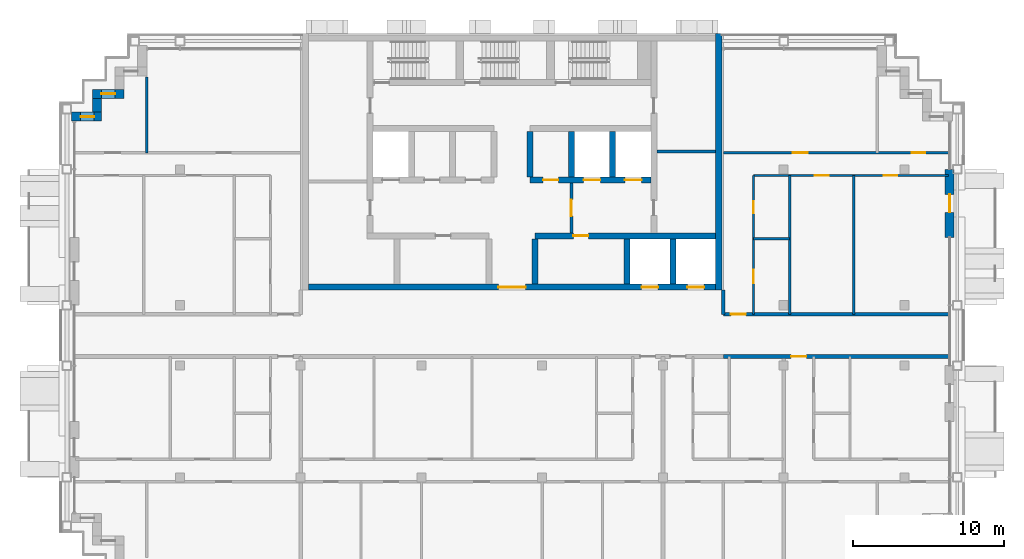
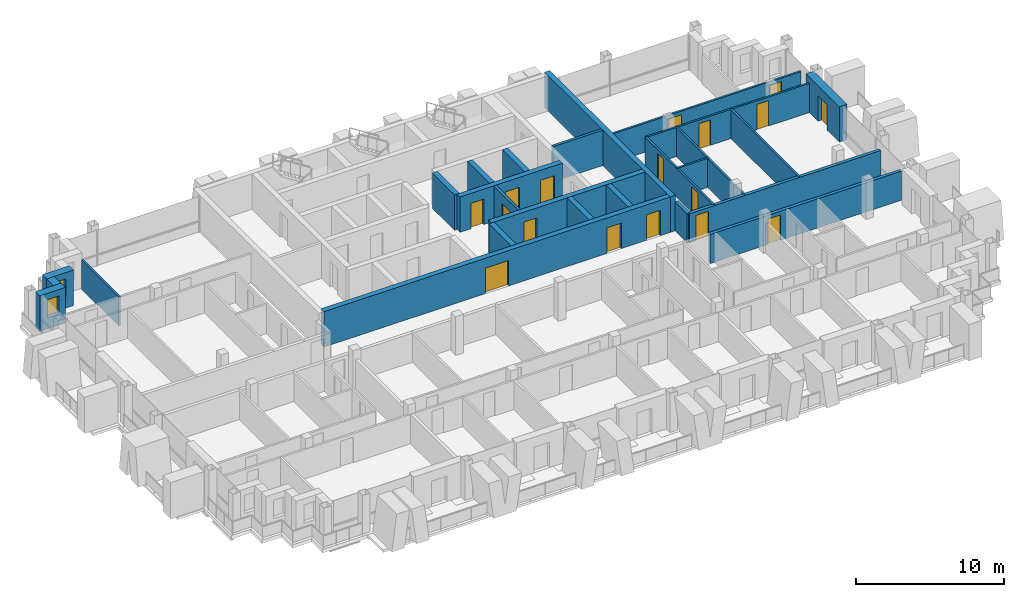
# One storey, part 10 of 15: 26 walls, 17 doors, 2 windows, 19 openings.
"""IFC4 building model written with IfcOpenShell, lengths in metres."""

from ifc_helpers import new_model, si_unit, direction, frame, frame_2d, origin, place, context, subcontext, project, spatial, rectangle, extrude, material, layer, layer_set, type_object, element, fill, save


model = new_model("IFC4")

# Units and contexts
model_context = context("Model", 3, precision=1e-05, world=origin(), true_north=direction((0.0, 1.0)))
body_context = subcontext(model_context, "Body", "Model", "MODEL_VIEW")
ifc_project = project(units=[si_unit("LENGTHUNIT", "METRE"), si_unit("AREAUNIT", "SQUARE_METRE"), si_unit("VOLUMEUNIT", "CUBIC_METRE"), si_unit("PLANEANGLEUNIT", "RADIAN"), si_unit("MASSUNIT", "GRAM", prefix="KILO")], contexts=[model_context])

# Site, building, storey
site_placement = place(None, origin())
site = spatial("IfcSite", under=ifc_project, at=site_placement, CompositionType="ELEMENT")
building_placement = place(site_placement, origin())
building = spatial("IfcBuilding", under=site, at=building_placement, Name="Vidyagriha Tower", CompositionType="ELEMENT")
storey_placement = place(building_placement, frame((0.0, 0.0, 210.800048828125)))
storey = spatial("IfcBuildingStorey", under=building, at=storey_placement, Name="L54", CompositionType="ELEMENT", Elevation=210.800048828125)

# Wall, opening, window
ifc_material_1 = material(Name="Precast concrete C40/50 with brick facing", Category="concrete")
ifc_layer_1 = layer(ifc_material_1, 0.60009765625)
ifc_layer_set_1 = layer_set([ifc_layer_1], Name="Precast concrete C40/50 with brick facing")
wall_type_1 = type_object("IfcWallType", Name="Brick-faced precast wall 600", PredefinedType="STANDARD", material=ifc_layer_set_1)
wall_1_placement = place(storey_placement, frame((-25.699951171875, 16.0, 0.0), z_axis=(0.0, 0.0, 1.0), x_axis=(-1.0, 0.0, 0.0)))
wall_1 = element("IfcWall", 1, at=wall_1_placement, inside=storey, type_object=wall_type_1, Name="Stepped corner wall L54 R13", PredefinedType="STANDARD", context=body_context, shape_type="SweptSolid", body=[
    extrude(rectangle(XDim=2.10009765625, YDim=0.60009765625, at=frame_2d((1.050048828125, 0.0))), origin(), (0.0, 0.0, 1.0), 2.919921875),
])
opening_1_placement = place(wall_1_placement, frame((0.60009765625, 0.0, 0.89990234375)))
opening_1 = element("IfcOpeningElement", 2, at=opening_1_placement, cuts=wall_1, Name="Opening WN1", PredefinedType="OPENING", context=body_context, shape_type="SweptSolid", body=[
    extrude(rectangle(XDim=0.89990234375, YDim=1.5, at=frame_2d((0.449951171875, 0.75))), frame((0.0, 0.31005859375, 0.0), z_axis=(0.0, -1.0, 0.0), x_axis=(1.0, 0.0, 0.0)), (0.0, 0.0, 1.0), 0.6201171875),
])
ifc_material_2 = material(Name="Aluminium and glass window", Category="aluminium")
window_type = type_object("IfcWindowType", Name="Reveal window 900x1500", PartitioningType="NOTDEFINED", PredefinedType="WINDOW", material=ifc_material_2)
window_1_placement = place(opening_1_placement, origin())
window_1 = element("IfcWindow", 3, at=window_1_placement, inside=storey, type_object=window_type, Name="Reveal window L54 R13", OverallHeight=1.5, OverallWidth=0.89990234375, PartitioningType="SINGLE_PANEL", PredefinedType="WINDOW", context=body_context, shape_type="SweptSolid", body=[
    extrude(rectangle(XDim=0.89990234375, YDim=1.5, at=frame_2d((0.449951171875, 0.75))), frame((0.0, 0.030029296875, 0.0), z_axis=(0.0, -1.0, 0.0), x_axis=(1.0, 0.0, 0.0)), (0.0, 0.0, 1.0), 0.06005859375),
])
fill(opening_1, window_1)

# Wall
wall_2_placement = place(storey_placement, frame((-27.5, 15.699951171875, 0.0), z_axis=(0.0, 0.0, 1.0), x_axis=(0.0, -1.0, 0.0)))
element("IfcWall", 4, at=wall_2_placement, inside=storey, type_object=wall_type_1, Name="Stepped corner wall L54 R14", PredefinedType="STANDARD", context=body_context, shape_type="SweptSolid", body=[
    extrude(rectangle(XDim=0.89990234375, YDim=0.60009765625, at=frame_2d((0.449951171875, 0.0))), origin(), (0.0, 0.0, 1.0), 2.919921875),
])

# Wall, opening, window
wall_3_placement = place(storey_placement, frame((-27.199951171875, 14.5, 0.0), z_axis=(0.0, 0.0, 1.0), x_axis=(-1.0, 0.0, 0.0)))
wall_3 = element("IfcWall", 5, at=wall_3_placement, inside=storey, type_object=wall_type_1, Name="Stepped corner wall L54 R15", PredefinedType="STANDARD", context=body_context, shape_type="SweptSolid", body=[
    extrude(rectangle(XDim=2.0, YDim=0.60009765625, at=frame_2d((1.0, 0.0))), origin(), (0.0, 0.0, 1.0), 2.919921875),
])
opening_2_placement = place(wall_3_placement, frame((0.489990234375, 0.0, 0.89990234375)))
opening_2 = element("IfcOpeningElement", 6, at=opening_2_placement, cuts=wall_3, Name="Opening WN1", PredefinedType="OPENING", context=body_context, shape_type="SweptSolid", body=[
    extrude(rectangle(XDim=0.89990234375, YDim=1.5, at=frame_2d((0.449951171875, 0.75))), frame((0.0, 0.31005859375, 0.0), z_axis=(0.0, -1.0, 0.0), x_axis=(1.0, 0.0, 0.0)), (0.0, 0.0, 1.0), 0.6201171875),
])
window_2_placement = place(opening_2_placement, origin())
window_2 = element("IfcWindow", 7, at=window_2_placement, inside=storey, type_object=window_type, Name="Reveal window L54 R15", OverallHeight=1.5, OverallWidth=0.89990234375, PartitioningType="SINGLE_PANEL", PredefinedType="WINDOW", context=body_context, shape_type="SweptSolid", body=[
    extrude(rectangle(XDim=0.89990234375, YDim=1.5, at=frame_2d((0.449951171875, 0.75))), frame((0.0, 0.030029296875, 0.0), z_axis=(0.0, -1.0, 0.0), x_axis=(1.0, 0.0, 0.0)), (0.0, 0.0, 1.0), 0.06005859375),
])
fill(opening_2, window_2)

# Wall, opening, door
wall_4_placement = place(storey_placement, frame((29.0, 6.5, 0.0), z_axis=(0.0, 0.0, 1.0), x_axis=(0.0, 1.0, 0.0)))
wall_4 = element("IfcWall", 8, at=wall_4_placement, inside=storey, type_object=wall_type_1, Name="Brick door bay wall L54 R30.6", PredefinedType="STANDARD", context=body_context, shape_type="SweptSolid", body=[
    extrude(rectangle(XDim=4.5, YDim=0.60009765625, at=frame_2d((2.25, 0.0))), origin(), (0.0, 0.0, 1.0), 2.919921875),
])
opening_3_placement = place(wall_4_placement, frame((1.64990234375, 0.0, 0.0)))
opening_3 = element("IfcOpeningElement", 9, at=opening_3_placement, cuts=wall_4, Name="Opening D54-68", PredefinedType="OPENING", context=body_context, shape_type="SweptSolid", body=[
    extrude(rectangle(XDim=1.199951171875, YDim=2.10009765625, at=frame_2d((0.60009765625, 1.050048828125))), frame((0.0, 0.31005859375, 0.0), z_axis=(0.0, -1.0, 0.0), x_axis=(1.0, 0.0, 0.0)), (0.0, 0.0, 1.0), 0.6201171875),
])
ifc_material_3 = material(Name="Aluminium framed glazed sliding door", Category="aluminium")
door_type_1 = type_object("IfcDoorType", Name="Balcony sliding door 1200x2100", OperationType="NOTDEFINED", PredefinedType="DOOR", material=ifc_material_3)
door_1_placement = place(opening_3_placement, origin())
door_1 = element("IfcDoor", 10, at=door_1_placement, inside=storey, type_object=door_type_1, Name="Door D54-68", OperationType="SLIDING_TO_LEFT", OverallHeight=2.10009765625, OverallWidth=1.199951171875, PredefinedType="DOOR", context=body_context, shape_type="SweptSolid", body=[
    extrude(rectangle(XDim=1.199951171875, YDim=2.10009765625, at=frame_2d((0.60009765625, 1.050048828125))), frame((0.0, 0.02490234375, 0.0), z_axis=(0.0, -1.0, 0.0), x_axis=(1.0, 0.0, 0.0)), (0.0, 0.0, 1.0), 0.050048828125),
])
fill(opening_3, door_1)

# Wall
ifc_material_4 = material(Name="Concrete C60/75", Category="concrete")
ifc_layer_2 = layer(ifc_material_4, 0.39990234375)
ifc_layer_set_2 = layer_set([ifc_layer_2], Name="Concrete C60/75")
wall_type_2 = type_object("IfcWallType", Name="Core shear wall 400 mm", PredefinedType="SHEAR", material=ifc_layer_set_2)
wall_5_placement = place(storey_placement, frame((13.699951171875, 3.0, 0.0), z_axis=(0.0, 0.0, 1.0), x_axis=(0.0, 1.0, 0.0)))
element("IfcWall", 11, at=wall_5_placement, inside=storey, type_object=wall_type_2, Name="Core east wall", PredefinedType="SHEAR", context=body_context, shape_type="SweptSolid", body=[
    extrude(rectangle(XDim=17.0, YDim=0.39990234375, at=frame_2d((8.5, 0.0))), origin(), (0.0, 0.0, 1.0), 2.919921875),
])

# Wall, openings, doors
wall_6_placement = place(storey_placement, frame((-13.5, 3.199951171875, 0.0)))
wall_6 = element("IfcWall", 12, at=wall_6_placement, inside=storey, type_object=wall_type_2, Name="Core front wall", PredefinedType="SHEAR", context=body_context, shape_type="SweptSolid", body=[
    extrude(rectangle(XDim=27.0, YDim=0.39990234375, at=frame_2d((13.5, 0.0))), origin(), (0.0, 0.0, 1.0), 2.919921875),
])
opening_4_placement = place(wall_6_placement, frame((22.083251953125, 0.0, 0.0)))
opening_4 = element("IfcOpeningElement", 13, at=opening_4_placement, cuts=wall_6, Name="Opening LD54-01", PredefinedType="OPENING", context=body_context, shape_type="SweptSolid", body=[
    extrude(rectangle(XDim=1.10009765625, YDim=2.10009765625, at=frame_2d((0.550048828125, 1.050048828125))), frame((0.0, 0.2099609375, 0.0), z_axis=(0.0, -1.0, 0.0), x_axis=(1.0, 0.0, 0.0)), (0.0, 0.0, 1.0), 0.419921875),
])
opening_5_placement = place(wall_6_placement, frame((25.127685546875, 0.0, 0.0)))
opening_5 = element("IfcOpeningElement", 14, at=opening_5_placement, cuts=wall_6, Name="Opening LD54-02", PredefinedType="OPENING", context=body_context, shape_type="SweptSolid", body=[
    extrude(rectangle(XDim=1.10009765625, YDim=2.10009765625, at=frame_2d((0.550048828125, 1.050048828125))), frame((0.0, 0.2099609375, 0.0), z_axis=(0.0, -1.0, 0.0), x_axis=(1.0, 0.0, 0.0)), (0.0, 0.0, 1.0), 0.419921875),
])
opening_6_placement = place(wall_6_placement, frame((12.60009765625, 0.0, 0.0)))
opening_6 = element("IfcOpeningElement", 15, at=opening_6_placement, cuts=wall_6, Name="Opening D54-01", PredefinedType="OPENING", context=body_context, shape_type="SweptSolid", body=[
    extrude(rectangle(XDim=1.800048828125, YDim=2.10009765625, at=frame_2d((0.89990234375, 1.050048828125))), frame((0.0, 0.2099609375, 0.0), z_axis=(0.0, -1.0, 0.0), x_axis=(1.0, 0.0, 0.0)), (0.0, 0.0, 1.0), 0.419921875),
])
ifc_material_5 = material(Name="Hollow metal door leaf")
door_type_2 = type_object("IfcDoorType", Name="Core lobby double door 1800 x 2100 mm EI 60", OperationType="NOTDEFINED", PredefinedType="DOOR", material=ifc_material_5)
door_2_placement = place(opening_6_placement, frame((1.800048828125, 0.0, 0.0), z_axis=(0.0, 0.0, 1.0), x_axis=(-1.0, 0.0, 0.0)))
door_2 = element("IfcDoor", 16, at=door_2_placement, inside=storey, type_object=door_type_2, Name="Core entrance door L54", OperationType="DOUBLE_DOOR_SINGLE_SWING", OverallHeight=2.10009765625, OverallWidth=1.800048828125, PredefinedType="DOOR", context=body_context, shape_type="SweptSolid", body=[
    extrude(rectangle(XDim=1.800048828125, YDim=2.10009765625, at=frame_2d((0.89990234375, 1.050048828125))), frame((0.0, 0.02490234375, 0.0), z_axis=(0.0, -1.0, 0.0), x_axis=(1.0, 0.0, 0.0)), (0.0, 0.0, 1.0), 0.050048828125),
])
fill(opening_6, door_2)
ifc_material_6 = material(Name="Stainless steel sliding door panel", Category="steel")
door_type_3 = type_object("IfcDoorType", Name="Lift landing door 1100 x 2100 mm EI 90", OperationType="NOTDEFINED", PredefinedType="DOOR", material=ifc_material_6)
door_3_placement = place(opening_4_placement, origin())
door_3 = element("IfcDoor", 17, at=door_3_placement, inside=storey, type_object=door_type_3, Name="Landing door MR1 L54", OperationType="SLIDING_TO_LEFT", OverallHeight=2.10009765625, OverallWidth=1.10009765625, PredefinedType="DOOR", context=body_context, shape_type="SweptSolid", body=[
    extrude(rectangle(XDim=1.10009765625, YDim=2.10009765625, at=frame_2d((0.550048828125, 1.050048828125))), frame((0.0, 0.02490234375, 0.0), z_axis=(0.0, -1.0, 0.0), x_axis=(1.0, 0.0, 0.0)), (0.0, 0.0, 1.0), 0.050048828125),
])
fill(opening_4, door_3)
door_4_placement = place(opening_5_placement, origin())
door_4 = element("IfcDoor", 18, at=door_4_placement, inside=storey, type_object=door_type_3, Name="Landing door MR2 L54", OperationType="SLIDING_TO_LEFT", OverallHeight=2.10009765625, OverallWidth=1.10009765625, PredefinedType="DOOR", context=body_context, shape_type="SweptSolid", body=[
    extrude(rectangle(XDim=1.10009765625, YDim=2.10009765625, at=frame_2d((0.550048828125, 1.050048828125))), frame((0.0, 0.02490234375, 0.0), z_axis=(0.0, -1.0, 0.0), x_axis=(1.0, 0.0, 0.0)), (0.0, 0.0, 1.0), 0.050048828125),
])
fill(opening_5, door_4)

# Wall, opening, door
wall_7_placement = place(storey_placement, frame((1.522216796875, 6.60009765625, 0.0)))
wall_7 = element("IfcWall", 19, at=wall_7_placement, inside=storey, type_object=wall_type_2, Name="Core lobby south wall east", PredefinedType="SHEAR", context=body_context, shape_type="SweptSolid", body=[
    extrude(rectangle(XDim=11.977783203125, YDim=0.39990234375, at=frame_2d((5.98876953125, 0.0))), origin(), (0.0, 0.0, 1.0), 2.919921875),
])
opening_7_placement = place(wall_7_placement, frame((2.54443359375, 0.0, 0.0)))
opening_7 = element("IfcOpeningElement", 20, at=opening_7_placement, cuts=wall_7, Name="Opening D54-03", PredefinedType="OPENING", context=body_context, shape_type="SweptSolid", body=[
    extrude(rectangle(XDim=1.0, YDim=2.10009765625, at=frame_2d((0.5, 1.050048828125))), frame((0.0, 0.2099609375, 0.0), z_axis=(0.0, -1.0, 0.0), x_axis=(1.0, 0.0, 0.0)), (0.0, 0.0, 1.0), 0.419921875),
])
ifc_material_7 = material(Name="Hollow metal door leaf")
door_type_4 = type_object("IfcDoorType", Name="Core room door 1000 x 2100 mm EI 60", OperationType="NOTDEFINED", PredefinedType="DOOR", material=ifc_material_7)
door_5_placement = place(opening_7_placement, origin())
door_5 = element("IfcDoor", 21, at=door_5_placement, inside=storey, type_object=door_type_4, Name="Door Refuse Room 54.02", OperationType="SINGLE_SWING_RIGHT", OverallHeight=2.10009765625, OverallWidth=1.0, PredefinedType="DOOR", context=body_context, shape_type="SweptSolid", body=[
    extrude(rectangle(XDim=1.0, YDim=2.10009765625, at=frame_2d((0.5, 1.050048828125))), frame((0.0, 0.02490234375, 0.0), z_axis=(0.0, -1.0, 0.0), x_axis=(1.0, 0.0, 0.0)), (0.0, 0.0, 1.0), 0.050048828125),
])
fill(opening_7, door_5)

# Walls
for number, where, z_axis, x_axis, name in (
    (22, (1.522216796875, 3.39990234375, 0.0), (0.0, 0.0, 1.0), (0.0, 1.0, 0.0), "Core bay wall S5"),
    (23, (7.611083984375, 3.39990234375, 0.0), (0.0, 0.0, 1.0), (0.0, 1.0, 0.0), "Core bay wall S7"),
    (24, (10.655517578125, 3.39990234375, 0.0), (0.0, 0.0, 1.0), (0.0, 1.0, 0.0), "Core bay wall S8"),
):
    element("IfcWall", number, at=place(storey_placement, frame(where, z_axis=z_axis, x_axis=x_axis)), inside=storey, type_object=wall_type_2, Name=name, PredefinedType="SHEAR", context=body_context, shape_type="SweptSolid", body=[
        extrude(rectangle(XDim=3.0, YDim=0.39990234375, at=frame_2d((1.5, 0.0))), origin(), (0.0, 0.0, 1.0), 2.919921875),
    ])

# Wall, openings, doors
wall_8_placement = place(storey_placement, frame((1.199951171875, 10.300048828125, 0.0)))
wall_8 = element("IfcWall", 25, at=wall_8_placement, inside=storey, type_object=wall_type_2, Name="Core row N front wall", PredefinedType="SHEAR", context=body_context, shape_type="SweptSolid", body=[
    extrude(rectangle(XDim=8.0, YDim=0.39990234375, at=frame_2d((4.0, 0.0))), origin(), (0.0, 0.0, 1.0), 2.919921875),
])
opening_8_placement = place(wall_8_placement, frame((3.550048828125, 0.0, 0.0)))
opening_8 = element("IfcOpeningElement", 26, at=opening_8_placement, cuts=wall_8, Name="Opening LD54-04", PredefinedType="OPENING", context=body_context, shape_type="SweptSolid", body=[
    extrude(rectangle(XDim=1.10009765625, YDim=2.10009765625, at=frame_2d((0.550048828125, 1.050048828125))), frame((0.0, 0.2099609375, 0.0), z_axis=(0.0, -1.0, 0.0), x_axis=(1.0, 0.0, 0.0)), (0.0, 0.0, 1.0), 0.419921875),
])
opening_9_placement = place(wall_8_placement, frame((6.283203125, 0.0, 0.0)))
opening_9 = element("IfcOpeningElement", 27, at=opening_9_placement, cuts=wall_8, Name="Opening LD54-05", PredefinedType="OPENING", context=body_context, shape_type="SweptSolid", body=[
    extrude(rectangle(XDim=1.10009765625, YDim=2.10009765625, at=frame_2d((0.550048828125, 1.050048828125))), frame((0.0, 0.2099609375, 0.0), z_axis=(0.0, -1.0, 0.0), x_axis=(1.0, 0.0, 0.0)), (0.0, 0.0, 1.0), 0.419921875),
])
opening_10_placement = place(wall_8_placement, frame((0.86669921875, 0.0, 0.0)))
opening_10 = element("IfcOpeningElement", 28, at=opening_10_placement, cuts=wall_8, Name="Opening D54-06", PredefinedType="OPENING", context=body_context, shape_type="SweptSolid", body=[
    extrude(rectangle(XDim=1.0, YDim=2.10009765625, at=frame_2d((0.5, 1.050048828125))), frame((0.0, 0.2099609375, 0.0), z_axis=(0.0, -1.0, 0.0), x_axis=(1.0, 0.0, 0.0)), (0.0, 0.0, 1.0), 0.419921875),
])
door_6_placement = place(opening_10_placement, frame((1.0, 0.0, 0.0), z_axis=(0.0, 0.0, 1.0), x_axis=(-1.0, 0.0, 0.0)))
door_6 = element("IfcDoor", 29, at=door_6_placement, inside=storey, type_object=door_type_4, Name="Door Refuse Room 54.16", OperationType="SINGLE_SWING_LEFT", OverallHeight=2.10009765625, OverallWidth=1.0, PredefinedType="DOOR", context=body_context, shape_type="SweptSolid", body=[
    extrude(rectangle(XDim=1.0, YDim=2.10009765625, at=frame_2d((0.5, 1.050048828125))), frame((0.0, 0.02490234375, 0.0), z_axis=(0.0, -1.0, 0.0), x_axis=(1.0, 0.0, 0.0)), (0.0, 0.0, 1.0), 0.050048828125),
])
fill(opening_10, door_6)
door_7_placement = place(opening_8_placement, origin())
door_7 = element("IfcDoor", 30, at=door_7_placement, inside=storey, type_object=door_type_3, Name="Landing door FF1 L54", OperationType="SLIDING_TO_LEFT", OverallHeight=2.10009765625, OverallWidth=1.10009765625, PredefinedType="DOOR", context=body_context, shape_type="SweptSolid", body=[
    extrude(rectangle(XDim=1.10009765625, YDim=2.10009765625, at=frame_2d((0.550048828125, 1.050048828125))), frame((0.0, 0.02490234375, 0.0), z_axis=(0.0, -1.0, 0.0), x_axis=(1.0, 0.0, 0.0)), (0.0, 0.0, 1.0), 0.050048828125),
])
fill(opening_8, door_7)
door_8_placement = place(opening_9_placement, origin())
door_8 = element("IfcDoor", 31, at=door_8_placement, inside=storey, type_object=door_type_3, Name="Landing door FF2 L54", OperationType="SLIDING_TO_LEFT", OverallHeight=2.10009765625, OverallWidth=1.10009765625, PredefinedType="DOOR", context=body_context, shape_type="SweptSolid", body=[
    extrude(rectangle(XDim=1.10009765625, YDim=2.10009765625, at=frame_2d((0.550048828125, 1.050048828125))), frame((0.0, 0.02490234375, 0.0), z_axis=(0.0, -1.0, 0.0), x_axis=(1.0, 0.0, 0.0)), (0.0, 0.0, 1.0), 0.050048828125),
])
fill(opening_9, door_8)

# Walls
for number, where, z_axis, x_axis, name in (
    (32, (1.199951171875, 10.5, 0.0), (0.0, 0.0, 1.0), (0.0, 1.0, 0.0), "Core bay wall N4"),
    (33, (3.933349609375, 10.5, 0.0), (0.0, 0.0, 1.0), (0.0, 1.0, 0.0), "Core bay wall N5"),
    (34, (6.666748046875, 10.5, 0.0), (0.0, 0.0, 1.0), (0.0, 1.0, 0.0), "Core bay wall N6"),
):
    element("IfcWall", number, at=place(storey_placement, frame(where, z_axis=z_axis, x_axis=x_axis)), inside=storey, type_object=wall_type_2, Name=name, PredefinedType="SHEAR", context=body_context, shape_type="SweptSolid", body=[
        extrude(rectangle(XDim=3.0, YDim=0.39990234375, at=frame_2d((1.5, 0.0))), origin(), (0.0, 0.0, 1.0), 2.919921875),
    ])

# Wall, opening, door
ifc_material_8 = material(Name="Fired clay brick masonry", Category="masonry")
ifc_layer_3 = layer(ifc_material_8, 0.25)
ifc_layer_set_3 = layer_set([ifc_layer_3], Name="Fired clay brick masonry")
wall_type_3 = type_object("IfcWallType", Name="Fired clay brick corridor wall 250", PredefinedType="PARTITIONING", material=ifc_layer_set_3)
wall_9_placement = place(storey_placement, frame((28.919921875, -1.39990234375, 0.0), z_axis=(0.0, 0.0, 1.0), x_axis=(-1.0, 0.0, 0.0)))
wall_9 = element("IfcWall", 35, at=wall_9_placement, inside=storey, type_object=wall_type_3, Name="Wall all-L54-w065", PredefinedType="PARTITIONING", context=body_context, shape_type="SweptSolid", body=[
    extrude(rectangle(XDim=14.919921875, YDim=0.25, at=frame_2d((7.4599609375, 0.0))), origin(), (0.0, 0.0, 1.0), 2.39990234375),
])
opening_11_placement = place(wall_9_placement, frame((9.419921875, 0.0, 0.0)))
opening_11 = element("IfcOpeningElement", 36, at=opening_11_placement, cuts=wall_9, Name="Opening D54-44", PredefinedType="OPENING", context=body_context, shape_type="SweptSolid", body=[
    extrude(rectangle(XDim=1.0, YDim=2.10009765625, at=frame_2d((0.5, 1.050048828125))), frame((0.0, 0.135009765625, 0.0), z_axis=(0.0, -1.0, 0.0), x_axis=(1.0, 0.0, 0.0)), (0.0, 0.0, 1.0), 0.27001953125),
])
ifc_material_9 = material(Name="Fire-rated timber door leaf EI 60", Category="wood")
door_type_5 = type_object("IfcDoorType", Name="Flat entrance fire door 1000x2100", OperationType="NOTDEFINED", PredefinedType="DOOR", material=ifc_material_9)
door_9_placement = place(opening_11_placement, origin())
door_9 = element("IfcDoor", 37, at=door_9_placement, inside=storey, type_object=door_type_5, Name="Door D54-44", OperationType="SINGLE_SWING_RIGHT", OverallHeight=2.10009765625, OverallWidth=1.0, PredefinedType="DOOR", context=body_context, shape_type="SweptSolid", body=[
    extrude(rectangle(XDim=1.0, YDim=2.10009765625, at=frame_2d((0.5, 1.050048828125))), frame((0.0, 0.02490234375, 0.0), z_axis=(0.0, -1.0, 0.0), x_axis=(1.0, 0.0, 0.0)), (0.0, 0.0, 1.0), 0.050048828125),
])
fill(opening_11, door_9)

wall_10_placement = place(storey_placement, frame((14.0, 1.39990234375, 0.0)))
wall_10 = element("IfcWall", 38, at=wall_10_placement, inside=storey, type_object=wall_type_3, Name="Wall all-L54-w095", PredefinedType="PARTITIONING", context=body_context, shape_type="SweptSolid", body=[
    extrude(rectangle(XDim=14.919921875, YDim=0.25, at=frame_2d((7.4599609375, 0.0))), origin(), (0.0, 0.0, 1.0), 2.39990234375),
])
opening_12_placement = place(wall_10_placement, frame((0.5, 0.0, 0.0)))
opening_12 = element("IfcOpeningElement", 39, at=opening_12_placement, cuts=wall_10, Name="Opening D54-58", PredefinedType="OPENING", context=body_context, shape_type="SweptSolid", body=[
    extrude(rectangle(XDim=1.0, YDim=2.10009765625, at=frame_2d((0.5, 1.050048828125))), frame((0.0, 0.135009765625, 0.0), z_axis=(0.0, -1.0, 0.0), x_axis=(1.0, 0.0, 0.0)), (0.0, 0.0, 1.0), 0.27001953125),
])
door_10_placement = place(opening_12_placement, origin())
door_10 = element("IfcDoor", 40, at=door_10_placement, inside=storey, type_object=door_type_5, Name="Door D54-58", OperationType="SINGLE_SWING_LEFT", OverallHeight=2.10009765625, OverallWidth=1.0, PredefinedType="DOOR", context=body_context, shape_type="SweptSolid", body=[
    extrude(rectangle(XDim=1.0, YDim=2.10009765625, at=frame_2d((0.5, 1.050048828125))), frame((0.0, 0.02490234375, 0.0), z_axis=(0.0, -1.0, 0.0), x_axis=(1.0, 0.0, 0.0)), (0.0, 0.0, 1.0), 0.050048828125),
])
fill(opening_12, door_10)

# Walls
wall_11_placement = place(storey_placement, frame((14.0, 1.39990234375, 0.0), z_axis=(0.0, 0.0, 1.0), x_axis=(0.0, 1.0, 0.0)))
element("IfcWall", 41, at=wall_11_placement, inside=storey, type_object=wall_type_3, Name="Wall all-L54-w098", PredefinedType="PARTITIONING", context=body_context, shape_type="SweptSolid", body=[
    extrude(rectangle(XDim=1.60009765625, YDim=0.25, at=frame_2d((0.800048828125, 0.0))), origin(), (0.0, 0.0, 1.0), 2.39990234375),
])
ifc_material_10 = material(Name="Gypsum board partition")
ifc_layer_4 = layer(ifc_material_10, 0.14990234375)
ifc_layer_set_4 = layer_set([ifc_layer_4], Name="Gypsum board partition")
wall_type_4 = type_object("IfcWallType", Name="Gypsum board partition 150", PredefinedType="PARTITIONING", material=ifc_layer_set_4)
wall_12_placement = place(storey_placement, frame((-24.199951171875, 17.1201171875, 0.0), z_axis=(0.0, 0.0, 1.0), x_axis=(0.0, -1.0, 0.0)))
element("IfcWall", 42, at=wall_12_placement, inside=storey, type_object=wall_type_4, Name="Wall all-L54-w078", PredefinedType="PARTITIONING", context=body_context, shape_type="SweptSolid", body=[
    extrude(rectangle(XDim=5.02001953125, YDim=0.14990234375, at=frame_2d((2.510009765625, 0.0))), origin(), (0.0, 0.0, 1.0), 2.39990234375),
])
wall_13_placement = place(storey_placement, frame((16.0, 6.39990234375, 0.0)))
element("IfcWall", 43, at=wall_13_placement, inside=storey, type_object=wall_type_4, Name="Wall all-L54-w084", PredefinedType="PARTITIONING", context=body_context, shape_type="SweptSolid", body=[
    extrude(rectangle(XDim=2.39990234375, YDim=0.14990234375, at=frame_2d((1.199951171875, 0.0))), origin(), (0.0, 0.0, 1.0), 2.39990234375),
])
for number, where, z_axis, x_axis, name in (
    (44, (18.39990234375, 10.60009765625, 0.0), (0.0, 0.0, 1.0), (0.0, -1.0, 0.0), "Wall all-L54-w085"),
    (45, (22.64990234375, 10.60009765625, 0.0), (0.0, 0.0, 1.0), (0.0, -1.0, 0.0), "Wall all-L54-w086"),
):
    element("IfcWall", number, at=place(storey_placement, frame(where, z_axis=z_axis, x_axis=x_axis)), inside=storey, type_object=wall_type_4, Name=name, PredefinedType="PARTITIONING", context=body_context, shape_type="SweptSolid", body=[
        extrude(rectangle(XDim=9.2001953125, YDim=0.14990234375, at=frame_2d((4.60009765625, 0.0))), origin(), (0.0, 0.0, 1.0), 2.39990234375),
    ])

# Wall, openings, doors
wall_14_placement = place(storey_placement, frame((28.909912109375, 10.60009765625, 0.0), z_axis=(0.0, 0.0, 1.0), x_axis=(-1.0, 0.0, 0.0)))
wall_14 = element("IfcWall", 46, at=wall_14_placement, inside=storey, type_object=wall_type_4, Name="Wall all-L54-w087", PredefinedType="PARTITIONING", context=body_context, shape_type="SweptSolid", body=[
    extrude(rectangle(XDim=12.909912109375, YDim=0.14990234375, at=frame_2d((6.455078125, 0.0))), origin(), (0.0, 0.0, 1.0), 2.39990234375),
])
opening_13_placement = place(wall_14_placement, frame((7.93505859375, 0.0, 0.0)))
opening_13 = element("IfcOpeningElement", 47, at=opening_13_placement, cuts=wall_14, Name="Opening D54-54", PredefinedType="OPENING", context=body_context, shape_type="SweptSolid", body=[
    extrude(rectangle(XDim=0.89990234375, YDim=2.10009765625, at=frame_2d((0.449951171875, 1.050048828125))), frame((0.0, 0.0849609375, 0.0), z_axis=(0.0, -1.0, 0.0), x_axis=(1.0, 0.0, 0.0)), (0.0, 0.0, 1.0), 0.169921875),
])
opening_14_placement = place(wall_14_placement, frame((3.385986328125, 0.0, 0.0)))
opening_14 = element("IfcOpeningElement", 48, at=opening_14_placement, cuts=wall_14, Name="Opening D54-55", PredefinedType="OPENING", context=body_context, shape_type="SweptSolid", body=[
    extrude(rectangle(XDim=0.89990234375, YDim=2.10009765625, at=frame_2d((0.449951171875, 1.050048828125))), frame((0.0, 0.0849609375, 0.0), z_axis=(0.0, -1.0, 0.0), x_axis=(1.0, 0.0, 0.0)), (0.0, 0.0, 1.0), 0.169921875),
])
ifc_material_11 = material(Name="Timber door leaf", Category="wood")
door_type_6 = type_object("IfcDoorType", Name="Room door 900x2100", OperationType="NOTDEFINED", PredefinedType="DOOR", material=ifc_material_11)
door_11_placement = place(opening_13_placement, origin())
door_11 = element("IfcDoor", 49, at=door_11_placement, inside=storey, type_object=door_type_6, Name="Door D54-54", OperationType="SINGLE_SWING_RIGHT", OverallHeight=2.10009765625, OverallWidth=0.89990234375, PredefinedType="DOOR", context=body_context, shape_type="SweptSolid", body=[
    extrude(rectangle(XDim=0.89990234375, YDim=2.10009765625, at=frame_2d((0.449951171875, 1.050048828125))), frame((0.0, 0.02490234375, 0.0), z_axis=(0.0, -1.0, 0.0), x_axis=(1.0, 0.0, 0.0)), (0.0, 0.0, 1.0), 0.050048828125),
])
fill(opening_13, door_11)
door_12_placement = place(opening_14_placement, origin())
door_12 = element("IfcDoor", 50, at=door_12_placement, inside=storey, type_object=door_type_6, Name="Door D54-55", OperationType="SINGLE_SWING_RIGHT", OverallHeight=2.10009765625, OverallWidth=0.89990234375, PredefinedType="DOOR", context=body_context, shape_type="SweptSolid", body=[
    extrude(rectangle(XDim=0.89990234375, YDim=2.10009765625, at=frame_2d((0.449951171875, 1.050048828125))), frame((0.0, 0.02490234375, 0.0), z_axis=(0.0, -1.0, 0.0), x_axis=(1.0, 0.0, 0.0)), (0.0, 0.0, 1.0), 0.050048828125),
])
fill(opening_14, door_12)

wall_15_placement = place(storey_placement, frame((14.0, 12.10009765625, 0.0)))
wall_15 = element("IfcWall", 51, at=wall_15_placement, inside=storey, type_object=wall_type_4, Name="Wall all-L54-w090", PredefinedType="PARTITIONING", context=body_context, shape_type="SweptSolid", body=[
    extrude(rectangle(XDim=14.919921875, YDim=0.14990234375, at=frame_2d((7.4599609375, 0.0))), origin(), (0.0, 0.0, 1.0), 2.39990234375),
])
opening_15_placement = place(wall_15_placement, frame((4.60009765625, 0.0, 0.0)))
opening_15 = element("IfcOpeningElement", 52, at=opening_15_placement, cuts=wall_15, Name="Opening D54-56", PredefinedType="OPENING", context=body_context, shape_type="SweptSolid", body=[
    extrude(rectangle(XDim=1.0, YDim=2.10009765625, at=frame_2d((0.5, 1.050048828125))), frame((0.0, 0.0849609375, 0.0), z_axis=(0.0, -1.0, 0.0), x_axis=(1.0, 0.0, 0.0)), (0.0, 0.0, 1.0), 0.169921875),
])
opening_16_placement = place(wall_15_placement, frame((12.47607421875, 0.0, 0.0)))
opening_16 = element("IfcOpeningElement", 53, at=opening_16_placement, cuts=wall_15, Name="Opening D54-57", PredefinedType="OPENING", context=body_context, shape_type="SweptSolid", body=[
    extrude(rectangle(XDim=0.89990234375, YDim=2.10009765625, at=frame_2d((0.449951171875, 1.050048828125))), frame((0.0, 0.0849609375, 0.0), z_axis=(0.0, -1.0, 0.0), x_axis=(1.0, 0.0, 0.0)), (0.0, 0.0, 1.0), 0.169921875),
])
ifc_material_12 = material(Name="Timber door leaf", Category="wood")
door_type_7 = type_object("IfcDoorType", Name="Room door 1000x2100", OperationType="NOTDEFINED", PredefinedType="DOOR", material=ifc_material_12)
door_13_placement = place(opening_15_placement, origin())
door_13 = element("IfcDoor", 54, at=door_13_placement, inside=storey, type_object=door_type_7, Name="Door D54-56", OperationType="SINGLE_SWING_RIGHT", OverallHeight=2.10009765625, OverallWidth=1.0, PredefinedType="DOOR", context=body_context, shape_type="SweptSolid", body=[
    extrude(rectangle(XDim=1.0, YDim=2.10009765625, at=frame_2d((0.5, 1.050048828125))), frame((0.0, 0.02490234375, 0.0), z_axis=(0.0, -1.0, 0.0), x_axis=(1.0, 0.0, 0.0)), (0.0, 0.0, 1.0), 0.050048828125),
])
fill(opening_15, door_13)
door_14_placement = place(opening_16_placement, origin())
door_14 = element("IfcDoor", 55, at=door_14_placement, inside=storey, type_object=door_type_6, Name="Door D54-57", OperationType="SINGLE_SWING_RIGHT", OverallHeight=2.10009765625, OverallWidth=0.89990234375, PredefinedType="DOOR", context=body_context, shape_type="SweptSolid", body=[
    extrude(rectangle(XDim=0.89990234375, YDim=2.10009765625, at=frame_2d((0.449951171875, 1.050048828125))), frame((0.0, 0.02490234375, 0.0), z_axis=(0.0, -1.0, 0.0), x_axis=(1.0, 0.0, 0.0)), (0.0, 0.0, 1.0), 0.050048828125),
])
fill(opening_16, door_14)

ifc_material_13 = material(Name="Moisture resistant gypsum board partition")
ifc_layer_5 = layer(ifc_material_13, 0.14990234375)
ifc_layer_set_5 = layer_set([ifc_layer_5], Name="Moisture resistant gypsum board partition")
wall_type_5 = type_object("IfcWallType", Name="Gypsum board wet-area partition 150", PredefinedType="PARTITIONING", material=ifc_layer_set_5)
wall_16_placement = place(storey_placement, frame((16.0, 10.60009765625, 0.0), z_axis=(0.0, 0.0, 1.0), x_axis=(0.0, -1.0, 0.0)))
wall_16 = element("IfcWall", 56, at=wall_16_placement, inside=storey, type_object=wall_type_5, Name="Wall all-L54-w081", PredefinedType="PARTITIONING", context=body_context, shape_type="SweptSolid", body=[
    extrude(rectangle(XDim=9.2001953125, YDim=0.14990234375, at=frame_2d((4.60009765625, 0.0))), origin(), (0.0, 0.0, 1.0), 2.39990234375),
])
opening_17_placement = place(wall_16_placement, frame((6.25, 0.0, 0.0)))
opening_17 = element("IfcOpeningElement", 57, at=opening_17_placement, cuts=wall_16, Name="Opening D54-52", PredefinedType="OPENING", context=body_context, shape_type="SweptSolid", body=[
    extrude(rectangle(XDim=0.89990234375, YDim=2.10009765625, at=frame_2d((0.449951171875, 1.050048828125))), frame((0.0, 0.0849609375, 0.0), z_axis=(0.0, -1.0, 0.0), x_axis=(1.0, 0.0, 0.0)), (0.0, 0.0, 1.0), 0.169921875),
])
opening_18_placement = place(wall_16_placement, frame((1.699951171875, 0.0, 0.0)))
opening_18 = element("IfcOpeningElement", 58, at=opening_18_placement, cuts=wall_16, Name="Opening D54-53", PredefinedType="OPENING", context=body_context, shape_type="SweptSolid", body=[
    extrude(rectangle(XDim=0.800048828125, YDim=2.10009765625, at=frame_2d((0.39990234375, 1.050048828125))), frame((0.0, 0.0849609375, 0.0), z_axis=(0.0, -1.0, 0.0), x_axis=(1.0, 0.0, 0.0)), (0.0, 0.0, 1.0), 0.169921875),
])
ifc_material_14 = material(Name="Timber door leaf", Category="wood")
door_type_8 = type_object("IfcDoorType", Name="Bathroom door 800x2100", OperationType="NOTDEFINED", PredefinedType="DOOR", material=ifc_material_14)
door_15_placement = place(opening_18_placement, origin())
door_15 = element("IfcDoor", 59, at=door_15_placement, inside=storey, type_object=door_type_8, Name="Door D54-53", OperationType="SINGLE_SWING_RIGHT", OverallHeight=2.10009765625, OverallWidth=0.800048828125, PredefinedType="DOOR", context=body_context, shape_type="SweptSolid", body=[
    extrude(rectangle(XDim=0.800048828125, YDim=2.10009765625, at=frame_2d((0.39990234375, 1.050048828125))), frame((0.0, 0.02490234375, 0.0), z_axis=(0.0, -1.0, 0.0), x_axis=(1.0, 0.0, 0.0)), (0.0, 0.0, 1.0), 0.050048828125),
])
fill(opening_18, door_15)
ifc_material_15 = material(Name="Timber door leaf", Category="wood")
door_type_9 = type_object("IfcDoorType", Name="Kitchen door 900x2100", OperationType="NOTDEFINED", PredefinedType="DOOR", material=ifc_material_15)
door_16_placement = place(opening_17_placement, origin())
door_16 = element("IfcDoor", 60, at=door_16_placement, inside=storey, type_object=door_type_9, Name="Door D54-52", OperationType="SINGLE_SWING_LEFT", OverallHeight=2.10009765625, OverallWidth=0.89990234375, PredefinedType="DOOR", context=body_context, shape_type="SweptSolid", body=[
    extrude(rectangle(XDim=0.89990234375, YDim=2.10009765625, at=frame_2d((0.449951171875, 1.050048828125))), frame((0.0, 0.02490234375, 0.0), z_axis=(0.0, -1.0, 0.0), x_axis=(1.0, 0.0, 0.0)), (0.0, 0.0, 1.0), 0.050048828125),
])
fill(opening_17, door_16)

# Wall, opening, door
ifc_material_16 = material(Name="Blockwork 15 MPa", Category="masonry")
ifc_layer_6 = layer(ifc_material_16, 0.199951171875)
ifc_layer_set_6 = layer_set([ifc_layer_6], Name="Blockwork 15 MPa")
wall_type_6 = type_object("IfcWallType", Name="Service room partition 200 mm", PredefinedType="PARTITIONING", material=ifc_layer_set_6)
wall_17_placement = place(storey_placement, frame((3.933349609375, 6.800048828125, 0.0), z_axis=(0.0, 0.0, 1.0), x_axis=(0.0, 1.0, 0.0)))
wall_17 = element("IfcWall", 61, at=wall_17_placement, inside=storey, type_object=wall_type_6, Name="Fire-fighting lobby west wall", PredefinedType="PARTITIONING", context=body_context, shape_type="SweptSolid", body=[
    extrude(rectangle(XDim=3.300048828125, YDim=0.199951171875, at=frame_2d((1.64990234375, 0.0))), origin(), (0.0, 0.0, 1.0), 2.919921875),
])
opening_19_placement = place(wall_17_placement, frame((1.10009765625, 0.0, 0.0)))
opening_19 = element("IfcOpeningElement", 62, at=opening_19_placement, cuts=wall_17, Name="Opening D54-07", PredefinedType="OPENING", context=body_context, shape_type="SweptSolid", body=[
    extrude(rectangle(XDim=1.10009765625, YDim=2.10009765625, at=frame_2d((0.550048828125, 1.050048828125))), frame((0.0, 0.10986328125, 0.0), z_axis=(0.0, -1.0, 0.0), x_axis=(1.0, 0.0, 0.0)), (0.0, 0.0, 1.0), 0.219970703125),
])
ifc_material_17 = material(Name="Hollow metal door leaf")
door_type_10 = type_object("IfcDoorType", Name="Fire-fighting lobby door 1100 x 2100 mm EI 90", OperationType="NOTDEFINED", PredefinedType="DOOR", material=ifc_material_17)
door_17_placement = place(opening_19_placement, origin())
door_17 = element("IfcDoor", 63, at=door_17_placement, inside=storey, type_object=door_type_10, Name="Fire-fighting lobby door L54", OperationType="SINGLE_SWING_RIGHT", OverallHeight=2.10009765625, OverallWidth=1.10009765625, PredefinedType="DOOR", context=body_context, shape_type="SweptSolid", body=[
    extrude(rectangle(XDim=1.10009765625, YDim=2.10009765625, at=frame_2d((0.550048828125, 1.050048828125))), frame((0.0, 0.02490234375, 0.0), z_axis=(0.0, -1.0, 0.0), x_axis=(1.0, 0.0, 0.0)), (0.0, 0.0, 1.0), 0.050048828125),
])
fill(opening_19, door_17)

# Wall
wall_18_placement = place(storey_placement, frame((9.60009765625, 12.199951171875, 0.0)))
element("IfcWall", 64, at=wall_18_placement, inside=storey, type_object=wall_type_6, Name="Core room partition E1", PredefinedType="PARTITIONING", context=body_context, shape_type="SweptSolid", body=[
    extrude(rectangle(XDim=3.89990234375, YDim=0.199951171875, at=frame_2d((1.949951171875, 0.0))), origin(), (0.0, 0.0, 1.0), 2.919921875),
])

save(model, "model.ifc")
